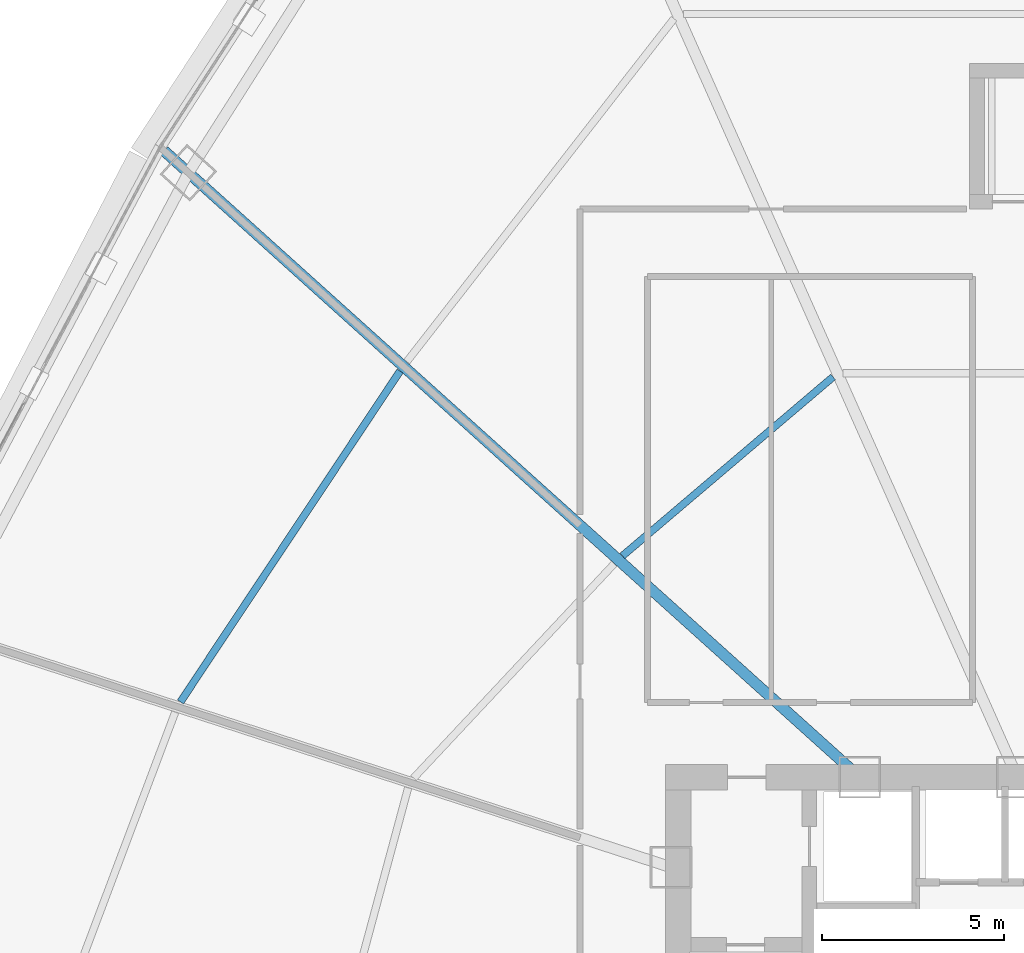
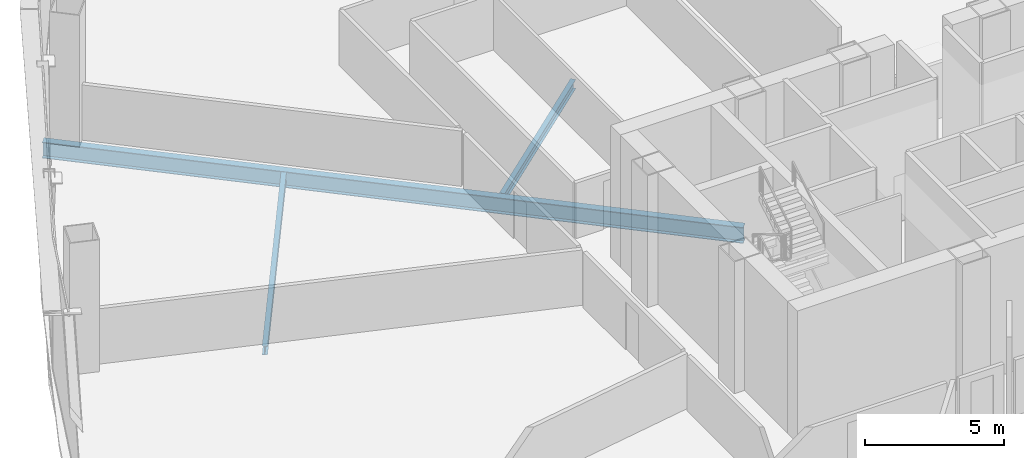
# One storey, part 15 of 41: 3 beams.
"""IFC4 building model written with IfcOpenShell, lengths in metres."""

from ifc_helpers import new_model, si_unit, direction, frame, origin, origin_2d, place, context, subcontext, project, spatial, i_section, extrude, source, transform, mapped, material, material_profile, profile_set, type_object, element, save


model = new_model("IFC4")

# Units and contexts
model_context = context("Model", 3, precision=1e-05, world=origin(), true_north=direction((0.0, 1.0)))
body_context = subcontext(model_context, "Body", "Model", "MODEL_VIEW")
ifc_project = project(units=[si_unit("LENGTHUNIT", "METRE"), si_unit("AREAUNIT", "SQUARE_METRE"), si_unit("VOLUMEUNIT", "CUBIC_METRE"), si_unit("PLANEANGLEUNIT", "RADIAN"), si_unit("MASSUNIT", "GRAM", prefix="KILO"), si_unit("THERMODYNAMICTEMPERATUREUNIT", "KELVIN"), si_unit("POWERUNIT", "WATT")], contexts=[model_context])

# Site, building, storey
site_placement = place(None, origin())
site = spatial("IfcSite", under=ifc_project, at=site_placement, CompositionType="ELEMENT")
building_placement = place(site_placement, origin())
building = spatial("IfcBuilding", under=site, at=building_placement, Name="Yunzhuo Pagoda Commons", CompositionType="ELEMENT")
storey_placement = place(building_placement, frame((0.0, 0.0, 70.330078125)))
storey = spatial("IfcBuildingStorey", under=building, at=storey_placement, Name="L18", CompositionType="ELEMENT", Elevation=70.330078125)

# Beams
ifc_material = material(Name="Structural steel Q355B", Category="steel")
ifc_material_profile_1 = material_profile(ifc_material, i_section(OverallWidth=0.199951171875, OverallDepth=0.39990234375, WebThickness=0.008056640625, FlangeThickness=0.012939453125, at=origin_2d()), Name="Structural steel Q355B")
ifc_profile_set_1 = profile_set([ifc_material_profile_1], Name="Structural steel Q355B")
beam_type_1 = type_object("IfcBeamType", Name="B-JS1 Joist HN 400x200x8x13", PredefinedType="JOIST", material=ifc_profile_set_1)
shared_shape_1 = source(origin(), body_context, "Body", "SweptSolid", [
    extrude(i_section(OverallWidth=0.199951171875, OverallDepth=0.39990234375, WebThickness=0.008056640625, FlangeThickness=0.012939453125, at=origin_2d()), origin(), (0.0, 0.0, 1.0), 10.904052734375),
])
beam_1_placement = place(storey_placement, frame((28.160888671875, 51.351806640625, -0.4599609375), z_axis=(-0.552916349928, -0.833236767061, 0.0), x_axis=(0.833236767061, -0.552916349928, 0.0)))
element("IfcBeam", 1, at=beam_1_placement, inside=storey, type_object=beam_type_1, Name="L18 composite ring joist 2.10", PredefinedType="JOIST", context=body_context, shape_type="MappedRepresentation", body=[
    mapped(shared_shape_1, transform((0.0, 0.0, 0.0), scale=1.0)),
])
shared_shape_2 = source(origin(), body_context, "Body", "SweptSolid", [
    extrude(i_section(OverallWidth=0.199951171875, OverallDepth=0.39990234375, WebThickness=0.008056640625, FlangeThickness=0.012939453125, at=origin_2d()), origin(), (0.0, 0.0, 1.0), 7.583984375),
])
beam_2_placement = place(storey_placement, frame((40.046875, 51.18798828125, -0.4599609375), z_axis=(-0.762037799133, -0.647532541803, 0.0), x_axis=(0.647532541803, -0.762037799133, 0.0)))
element("IfcBeam", 2, at=beam_2_placement, inside=storey, type_object=beam_type_1, Name="L18 composite ring joist 1.9", PredefinedType="JOIST", context=body_context, shape_type="MappedRepresentation", body=[
    mapped(shared_shape_2, transform((0.0, 0.0, 0.0), scale=1.0)),
])
ifc_material_profile_2 = material_profile(ifc_material, i_section(OverallWidth=0.300048828125, OverallDepth=0.699951171875, WebThickness=0.012939453125, FlangeThickness=0.02392578125, at=origin_2d()), Name="Structural steel Q355B")
ifc_profile_set_2 = profile_set([ifc_material_profile_2], Name="Structural steel Q355B")
beam_type_2 = type_object("IfcBeamType", Name="B-RG1 Beam HN 700x300x13x24", PredefinedType="BEAM", material=ifc_profile_set_2)
shared_shape_3 = source(origin(), body_context, "Body", "SweptSolid", [
    extrude(i_section(OverallWidth=0.300048828125, OverallDepth=0.699951171875, WebThickness=0.012939453125, FlangeThickness=0.02392578125, at=origin_2d()), origin(), (0.0, 0.0, 1.0), 25.694580078125),
])
beam_3_placement = place(storey_placement, frame((21.686279296875, 57.39306640625, -0.610107421875), z_axis=(0.743141995852, -0.669133748963, 0.0), x_axis=(0.669133748963, 0.743141995852, 0.0)))
element("IfcBeam", 3, at=beam_3_placement, inside=storey, type_object=beam_type_2, Name="L18 radial floor girder F3C2", PredefinedType="BEAM", context=body_context, shape_type="MappedRepresentation", body=[
    mapped(shared_shape_3, transform((0.0, 0.0, 0.0), scale=1.0)),
])

save(model, "model.ifc")
